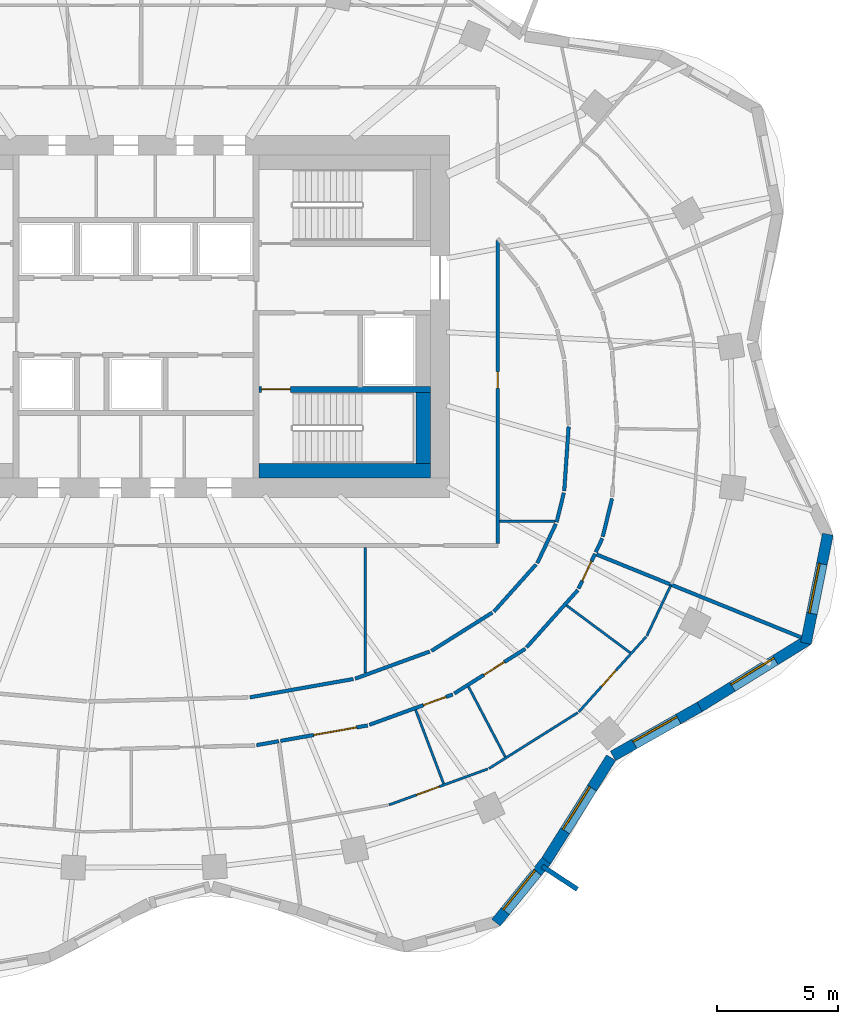
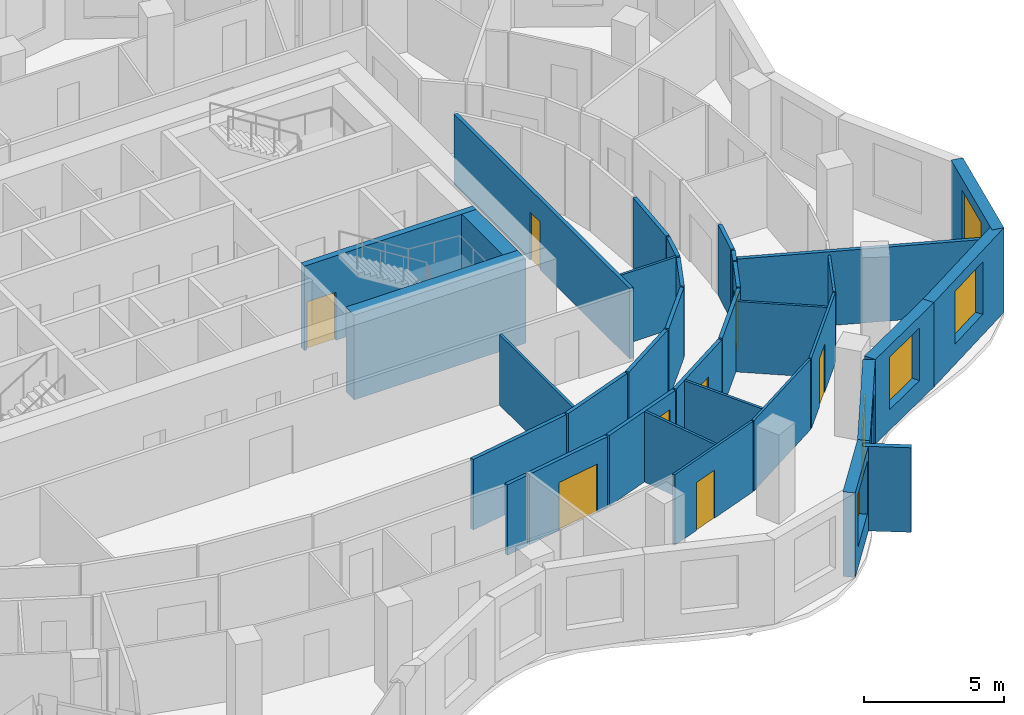
# One storey, part 6 of 11: 35 walls, 8 doors, 5 windows, 13 openings.
"""IFC4 building model written with IfcOpenShell, lengths in metres."""

from ifc_helpers import new_model, si_unit, direction, frame, frame_2d, origin, place, context, subcontext, project, spatial, rectangle, extrude, material, layer, layer_set, type_object, element, fill, save


model = new_model("IFC4")

# Units and contexts
model_context = context("Model", 3, precision=1e-05, world=origin(), true_north=direction((0.0, 1.0)))
body_context = subcontext(model_context, "Body", "Model", "MODEL_VIEW")
ifc_project = project(units=[si_unit("LENGTHUNIT", "METRE"), si_unit("AREAUNIT", "SQUARE_METRE"), si_unit("VOLUMEUNIT", "CUBIC_METRE"), si_unit("PLANEANGLEUNIT", "RADIAN"), si_unit("MASSUNIT", "GRAM", prefix="KILO")], contexts=[model_context])

# Site, building, storey
site_placement = place(None, origin())
site = spatial("IfcSite", under=ifc_project, at=site_placement, CompositionType="ELEMENT")
building_placement = place(site_placement, origin())
building = spatial("IfcBuilding", under=site, at=building_placement, Name="Rubra Terraces Tower", CompositionType="ELEMENT")
storey_placement = place(building_placement, frame((0.0, 0.0, 177.89990234375)))
storey = spatial("IfcBuildingStorey", under=building, at=storey_placement, Name="L43", CompositionType="ELEMENT", Elevation=177.89990234375)

# Wall, opening, window
ifc_material_1 = material(Name="Brick masonry red-brown", Category="masonry")
ifc_layer_1 = layer(ifc_material_1, 0.449951171875)
ifc_layer_set_1 = layer_set([ifc_layer_1], Name="Brick masonry red-brown")
wall_type_1 = type_object("IfcWallType", Name="Brick facade wall 450", PredefinedType="SOLIDWALL", material=ifc_layer_set_1)
wall_1_placement = place(storey_placement, frame((14.925537109375, -20.640869140625, 0.0), z_axis=(0.0, 0.0, 1.0), x_axis=(0.631548074669, 0.775336720001, 0.0)))
wall_1 = element("IfcWall", 1, at=wall_1_placement, inside=storey, type_object=wall_type_1, Name="Facade wall L43 bay 35", PredefinedType="SOLIDWALL", context=body_context, shape_type="SweptSolid", body=[
    extrude(rectangle(XDim=3.3076171875, YDim=0.449951171875, at=frame_2d((1.65380859375, 0.0))), origin(), (0.0, 0.0, 1.0), 3.7001953125),
])
opening_1_placement = place(wall_1_placement, frame((0.603759765625, 0.0, 0.89990234375)))
opening_1 = element("IfcOpeningElement", 2, at=opening_1_placement, cuts=wall_1, Name="Opening W1B", PredefinedType="OPENING", context=body_context, shape_type="SweptSolid", body=[
    extrude(rectangle(XDim=2.10009765625, YDim=2.300048828125, at=frame_2d((1.050048828125, 1.14990234375))), frame((0.0, 0.23486328125, 0.0), z_axis=(0.0, -1.0, 0.0), x_axis=(1.0, 0.0, 0.0)), (0.0, 0.0, 1.0), 0.469970703125),
])
ifc_material_2 = material(Name="Clear glass in aluminium frame", Category="aluminium")
window_type = type_object("IfcWindowType", Name="Fixed deep-set window tall storey 2100 x 2300", PartitioningType="SINGLE_PANEL", PredefinedType="WINDOW", material=ifc_material_2)
window_1_placement = place(opening_1_placement, origin())
window_1 = element("IfcWindow", 3, at=window_1_placement, inside=storey, type_object=window_type, Name="Window L43 bay 35", OverallHeight=2.300048828125, OverallWidth=2.10009765625, PartitioningType="SINGLE_PANEL", PredefinedType="WINDOW", context=body_context, shape_type="SweptSolid", body=[
    extrude(rectangle(XDim=2.10009765625, YDim=2.300048828125, at=frame_2d((1.050048828125, 1.14990234375))), frame((0.0, 0.135009765625, 0.0), z_axis=(0.0, -1.0, 0.0), x_axis=(1.0, 0.0, 0.0)), (0.0, 0.0, 1.0), 0.06005859375),
])
fill(opening_1, window_1)

wall_2_placement = place(storey_placement, frame((16.998291015625, -18.0986328125, 0.0), z_axis=(0.0, 0.0, 1.0), x_axis=(0.532745661304, 0.846275404559, 0.0)))
wall_2 = element("IfcWall", 4, at=wall_2_placement, inside=storey, type_object=wall_type_1, Name="Facade wall L43 bay 36", PredefinedType="SOLIDWALL", context=body_context, shape_type="SweptSolid", body=[
    extrude(rectangle(XDim=5.076171875, YDim=0.449951171875, at=frame_2d((2.5380859375, 0.0))), origin(), (0.0, 0.0, 1.0), 3.7001953125),
])
opening_2_placement = place(wall_2_placement, frame((1.488037109375, 0.0, 0.89990234375)))
opening_2 = element("IfcOpeningElement", 5, at=opening_2_placement, cuts=wall_2, Name="Opening W1B", PredefinedType="OPENING", context=body_context, shape_type="SweptSolid", body=[
    extrude(rectangle(XDim=2.10009765625, YDim=2.300048828125, at=frame_2d((1.050048828125, 1.14990234375))), frame((0.0, 0.23486328125, 0.0), z_axis=(0.0, -1.0, 0.0), x_axis=(1.0, 0.0, 0.0)), (0.0, 0.0, 1.0), 0.469970703125),
])
window_2_placement = place(opening_2_placement, origin())
window_2 = element("IfcWindow", 6, at=window_2_placement, inside=storey, type_object=window_type, Name="Window L43 bay 36", OverallHeight=2.300048828125, OverallWidth=2.10009765625, PartitioningType="SINGLE_PANEL", PredefinedType="WINDOW", context=body_context, shape_type="SweptSolid", body=[
    extrude(rectangle(XDim=2.10009765625, YDim=2.300048828125, at=frame_2d((1.050048828125, 1.14990234375))), frame((0.0, 0.135009765625, 0.0), z_axis=(0.0, -1.0, 0.0), x_axis=(1.0, 0.0, 0.0)), (0.0, 0.0, 1.0), 0.06005859375),
])
fill(opening_2, window_2)

wall_3_placement = place(storey_placement, frame((19.77587890625, -13.730712890625, 0.0), z_axis=(0.0, 0.0, 1.0), x_axis=(0.870610133829, 0.491973571318, 0.0)))
wall_3 = element("IfcWall", 7, at=wall_3_placement, inside=storey, type_object=wall_type_1, Name="Facade wall L43 bay 37", PredefinedType="SOLIDWALL", context=body_context, shape_type="SweptSolid", body=[
    extrude(rectangle(XDim=4.1337890625, YDim=0.449951171875, at=frame_2d((2.06689453125, 0.0))), origin(), (0.0, 0.0, 1.0), 3.7001953125),
])
opening_3_placement = place(wall_3_placement, frame((1.016845703125, 0.0, 0.89990234375)))
opening_3 = element("IfcOpeningElement", 8, at=opening_3_placement, cuts=wall_3, Name="Opening W1B", PredefinedType="OPENING", context=body_context, shape_type="SweptSolid", body=[
    extrude(rectangle(XDim=2.10009765625, YDim=2.300048828125, at=frame_2d((1.050048828125, 1.14990234375))), frame((0.0, 0.23486328125, 0.0), z_axis=(0.0, -1.0, 0.0), x_axis=(1.0, 0.0, 0.0)), (0.0, 0.0, 1.0), 0.469970703125),
])
window_3_placement = place(opening_3_placement, origin())
window_3 = element("IfcWindow", 9, at=window_3_placement, inside=storey, type_object=window_type, Name="Window L43 bay 37", OverallHeight=2.300048828125, OverallWidth=2.10009765625, PartitioningType="SINGLE_PANEL", PredefinedType="WINDOW", context=body_context, shape_type="SweptSolid", body=[
    extrude(rectangle(XDim=2.10009765625, YDim=2.300048828125, at=frame_2d((1.050048828125, 1.14990234375))), frame((0.0, 0.135009765625, 0.0), z_axis=(0.0, -1.0, 0.0), x_axis=(1.0, 0.0, 0.0)), (0.0, 0.0, 1.0), 0.06005859375),
])
fill(opening_3, window_3)

wall_4_placement = place(storey_placement, frame((23.368408203125, -11.700927734375, 0.0), z_axis=(0.0, 0.0, 1.0), x_axis=(0.850251408633, 0.526376806211, 0.0)))
wall_4 = element("IfcWall", 10, at=wall_4_placement, inside=storey, type_object=wall_type_1, Name="Facade wall L43 bay 38", PredefinedType="SOLIDWALL", context=body_context, shape_type="SweptSolid", body=[
    extrude(rectangle(XDim=5.30224609375, YDim=0.449951171875, at=frame_2d((2.651123046875, 0.0))), origin(), (0.0, 0.0, 1.0), 3.7001953125),
])
opening_4_placement = place(wall_4_placement, frame((1.601318359375, 0.0, 0.89990234375)))
opening_4 = element("IfcOpeningElement", 11, at=opening_4_placement, cuts=wall_4, Name="Opening W1B", PredefinedType="OPENING", context=body_context, shape_type="SweptSolid", body=[
    extrude(rectangle(XDim=2.10009765625, YDim=2.300048828125, at=frame_2d((1.050048828125, 1.14990234375))), frame((0.0, 0.23486328125, 0.0), z_axis=(0.0, -1.0, 0.0), x_axis=(1.0, 0.0, 0.0)), (0.0, 0.0, 1.0), 0.469970703125),
])
window_4_placement = place(opening_4_placement, origin())
window_4 = element("IfcWindow", 12, at=window_4_placement, inside=storey, type_object=window_type, Name="Window L43 bay 38", OverallHeight=2.300048828125, OverallWidth=2.10009765625, PartitioningType="SINGLE_PANEL", PredefinedType="WINDOW", context=body_context, shape_type="SweptSolid", body=[
    extrude(rectangle(XDim=2.10009765625, YDim=2.300048828125, at=frame_2d((1.050048828125, 1.14990234375))), frame((0.0, 0.135009765625, 0.0), z_axis=(0.0, -1.0, 0.0), x_axis=(1.0, 0.0, 0.0)), (0.0, 0.0, 1.0), 0.06005859375),
])
fill(opening_4, window_4)

wall_5_placement = place(storey_placement, frame((27.779541015625, -9.053466796875, 0.0), z_axis=(0.0, 0.0, 1.0), x_axis=(0.197796229105, 0.980243159503, 0.0)))
wall_5 = element("IfcWall", 13, at=wall_5_placement, inside=storey, type_object=wall_type_1, Name="Facade wall L43 bay 39", PredefinedType="SOLIDWALL", context=body_context, shape_type="SweptSolid", body=[
    extrude(rectangle(XDim=4.610107421875, YDim=0.449951171875, at=frame_2d((2.30517578125, 0.0))), origin(), (0.0, 0.0, 1.0), 3.7001953125),
])
opening_5_placement = place(wall_5_placement, frame((1.255126953125, 0.0, 0.89990234375)))
opening_5 = element("IfcOpeningElement", 14, at=opening_5_placement, cuts=wall_5, Name="Opening W1B", PredefinedType="OPENING", context=body_context, shape_type="SweptSolid", body=[
    extrude(rectangle(XDim=2.10009765625, YDim=2.300048828125, at=frame_2d((1.050048828125, 1.14990234375))), frame((0.0, 0.23486328125, 0.0), z_axis=(0.0, -1.0, 0.0), x_axis=(1.0, 0.0, 0.0)), (0.0, 0.0, 1.0), 0.469970703125),
])
window_5_placement = place(opening_5_placement, origin())
window_5 = element("IfcWindow", 15, at=window_5_placement, inside=storey, type_object=window_type, Name="Window L43 bay 39", OverallHeight=2.300048828125, OverallWidth=2.10009765625, PartitioningType="SINGLE_PANEL", PredefinedType="WINDOW", context=body_context, shape_type="SweptSolid", body=[
    extrude(rectangle(XDim=2.10009765625, YDim=2.300048828125, at=frame_2d((1.050048828125, 1.14990234375))), frame((0.0, 0.135009765625, 0.0), z_axis=(0.0, -1.0, 0.0), x_axis=(1.0, 0.0, 0.0)), (0.0, 0.0, 1.0), 0.06005859375),
])
fill(opening_5, window_5)

# Walls
ifc_layer_2 = layer(ifc_material_1, 0.199951171875)
ifc_layer_set_2 = layer_set([ifc_layer_2], Name="Brick masonry red-brown")
wall_type_2 = type_object("IfcWallType", Name="Brick wind fin 200", PredefinedType="SOLIDWALL", material=ifc_layer_set_2)
wall_6_placement = place(storey_placement, frame((16.837890625, -18.298095703125, 0.0), z_axis=(0.0, 0.0, 1.0), x_axis=(0.835871900419, -0.548924554097, 0.0)))
element("IfcWall", 16, at=wall_6_placement, inside=storey, type_object=wall_type_2, Name="Wind fin L43 21", PredefinedType="SOLIDWALL", context=body_context, shape_type="SweptSolid", body=[
    extrude(rectangle(XDim=1.750244140625, YDim=0.199951171875, at=frame_2d((0.875, 0.0))), origin(), (0.0, 0.0, 1.0), 3.7001953125),
])
ifc_material_3 = material(Name="Plasterboard on steel stud, mineral wool infill", Category="steel")
ifc_layer_3 = layer(ifc_material_3, 0.14990234375)
ifc_layer_set_3 = layer_set([ifc_layer_3], Name="Plasterboard on steel stud, mineral wool infill")
wall_type_3 = type_object("IfcWallType", Name="CORRIDOR PARTITION 150", PredefinedType="PARTITIONING", material=ifc_layer_set_3)
wall_7_placement = place(storey_placement, frame((4.994873046875, -13.28125, 0.0), z_axis=(0.0, 0.0, 1.0), x_axis=(0.984615318048, 0.174736016506, 0.0)))
element("IfcWall", 17, at=wall_7_placement, inside=storey, type_object=wall_type_3, Name="PARTITION", PredefinedType="PARTITIONING", context=body_context, shape_type="SweptSolid", body=[
    extrude(rectangle(XDim=0.9375, YDim=0.14990234375, at=frame_2d((0.46875, 0.0))), origin(), (0.0, 0.0, 1.0), 3.083984375),
])

# Wall, opening, door
wall_8_placement = place(storey_placement, frame((5.99169921875, -13.1044921875, 0.0), z_axis=(0.0, 0.0, 1.0), x_axis=(0.98463249319, 0.174639209096, 0.0)))
wall_8 = element("IfcWall", 18, at=wall_8_placement, inside=storey, type_object=wall_type_3, Name="PARTITION", PredefinedType="PARTITIONING", context=body_context, shape_type="SweptSolid", body=[
    extrude(rectangle(XDim=3.669677734375, YDim=0.14990234375, at=frame_2d((1.8349609375, 0.0))), origin(), (0.0, 0.0, 1.0), 3.083984375),
])
opening_6_placement = place(wall_8_placement, frame((1.39990234375, 0.0, 0.0)))
opening_6 = element("IfcOpeningElement", 19, at=opening_6_placement, cuts=wall_8, Name="Opening 43-119", PredefinedType="OPENING", context=body_context, shape_type="SweptSolid", body=[
    extrude(rectangle(XDim=1.800048828125, YDim=2.10009765625, at=frame_2d((0.89990234375, 1.050048828125))), frame((0.0, 0.0849609375, 0.0), z_axis=(0.0, -1.0, 0.0), x_axis=(1.0, 0.0, 0.0)), (0.0, 0.0, 1.0), 0.169921875),
])
ifc_material_4 = material(Name="Painted timber door leaf, double", Category="wood")
door_type_1 = type_object("IfcDoorType", Name="ROOM DOUBLE DOOR 1800 X 2100", OperationType="DOUBLE_DOOR_SINGLE_SWING", PredefinedType="DOOR", material=ifc_material_4)
door_1_placement = place(opening_6_placement, origin())
door_1 = element("IfcDoor", 20, at=door_1_placement, inside=storey, type_object=door_type_1, Name="DOOR 43-119", OperationType="DOUBLE_DOOR_SINGLE_SWING", OverallHeight=2.10009765625, OverallWidth=1.800048828125, PredefinedType="DOOR", context=body_context, shape_type="SweptSolid", body=[
    extrude(rectangle(XDim=1.800048828125, YDim=2.10009765625, at=frame_2d((0.89990234375, 1.050048828125))), frame((0.0, 0.02490234375, 0.0), z_axis=(0.0, -1.0, 0.0), x_axis=(1.0, 0.0, 0.0)), (0.0, 0.0, 1.0), 0.050048828125),
])
fill(opening_6, door_1)

wall_9_placement = place(storey_placement, frame((9.675537109375, -12.43798828125, 0.0), z_axis=(0.0, 0.0, 1.0), x_axis=(0.939640289748, 0.342163887461, 0.0)))
wall_9 = element("IfcWall", 21, at=wall_9_placement, inside=storey, type_object=wall_type_3, Name="PARTITION", PredefinedType="PARTITIONING", context=body_context, shape_type="SweptSolid", body=[
    extrude(rectangle(XDim=3.6796875, YDim=0.14990234375, at=frame_2d((1.83984375, 0.0))), origin(), (0.0, 0.0, 1.0), 3.083984375),
])
opening_7_placement = place(wall_9_placement, frame((2.3798828125, 0.0, 0.0)))
opening_7 = element("IfcOpeningElement", 22, at=opening_7_placement, cuts=wall_9, Name="Opening 43-120", PredefinedType="OPENING", context=body_context, shape_type="SweptSolid", body=[
    extrude(rectangle(XDim=1.0, YDim=2.39990234375, at=frame_2d((0.5, 1.199951171875))), frame((0.0, 0.0849609375, 0.0), z_axis=(0.0, -1.0, 0.0), x_axis=(1.0, 0.0, 0.0)), (0.0, 0.0, 1.0), 0.169921875),
])
ifc_material_5 = material(Name="Glazed aluminium meeting door leaf", Category="aluminium")
door_type_2 = type_object("IfcDoorType", Name="MEETING ROOM GLAZED DOOR 1000 X 2400", OperationType="SINGLE_SWING_LEFT", PredefinedType="DOOR", material=ifc_material_5)
door_2_placement = place(opening_7_placement, origin())
door_2 = element("IfcDoor", 23, at=door_2_placement, inside=storey, type_object=door_type_2, Name="DOOR 43-120", OperationType="SINGLE_SWING_RIGHT", OverallHeight=2.39990234375, OverallWidth=1.0, PredefinedType="DOOR", context=body_context, shape_type="SweptSolid", body=[
    extrude(rectangle(XDim=1.0, YDim=2.39990234375, at=frame_2d((0.5, 1.199951171875))), frame((0.0, 0.02490234375, 0.0), z_axis=(0.0, -1.0, 0.0), x_axis=(1.0, 0.0, 0.0)), (0.0, 0.0, 1.0), 0.050048828125),
])
fill(opening_7, door_2)

wall_10_placement = place(storey_placement, frame((13.196533203125, -11.138916015625, 0.0), z_axis=(0.0, 0.0, 1.0), x_axis=(0.846390903833, 0.532562144644, 0.0)))
wall_10 = element("IfcWall", 24, at=wall_10_placement, inside=storey, type_object=wall_type_3, Name="PARTITION", PredefinedType="PARTITIONING", context=body_context, shape_type="SweptSolid", body=[
    extrude(rectangle(XDim=3.481201171875, YDim=0.14990234375, at=frame_2d((1.74072265625, 0.0))), origin(), (0.0, 0.0, 1.0), 3.083984375),
])
opening_8_placement = place(wall_10_placement, frame((1.449951171875, 0.0, 0.0)))
opening_8 = element("IfcOpeningElement", 25, at=opening_8_placement, cuts=wall_10, Name="Opening 43-140", PredefinedType="OPENING", context=body_context, shape_type="SweptSolid", body=[
    extrude(rectangle(XDim=1.0, YDim=2.10009765625, at=frame_2d((0.5, 1.050048828125))), frame((0.0, 0.0849609375, 0.0), z_axis=(0.0, -1.0, 0.0), x_axis=(1.0, 0.0, 0.0)), (0.0, 0.0, 1.0), 0.169921875),
])
ifc_material_6 = material(Name="Painted timber door leaf", Category="wood")
door_type_3 = type_object("IfcDoorType", Name="ROOM DOOR 1000 X 2100", OperationType="SINGLE_SWING_LEFT", PredefinedType="DOOR", material=ifc_material_6)
door_3_placement = place(opening_8_placement, origin())
door_3 = element("IfcDoor", 26, at=door_3_placement, inside=storey, type_object=door_type_3, Name="DOOR 43-140", OperationType="SINGLE_SWING_RIGHT", OverallHeight=2.10009765625, OverallWidth=1.0, PredefinedType="DOOR", context=body_context, shape_type="SweptSolid", body=[
    extrude(rectangle(XDim=1.0, YDim=2.10009765625, at=frame_2d((0.5, 1.050048828125))), frame((0.0, 0.02490234375, 0.0), z_axis=(0.0, -1.0, 0.0), x_axis=(1.0, 0.0, 0.0)), (0.0, 0.0, 1.0), 0.050048828125),
])
fill(opening_8, door_3)

# Wall
wall_11_placement = place(storey_placement, frame((16.193115234375, -9.22900390625, 0.0), z_axis=(0.0, 0.0, 1.0), x_axis=(0.666882089048, 0.745163256815, 0.0)))
element("IfcWall", 27, at=wall_11_placement, inside=storey, type_object=wall_type_3, Name="PARTITION", PredefinedType="PARTITIONING", context=body_context, shape_type="SweptSolid", body=[
    extrude(rectangle(XDim=3.1904296875, YDim=0.14990234375, at=frame_2d((1.59521484375, 0.0))), origin(), (0.0, 0.0, 1.0), 3.083984375),
])

# Wall, opening, door
wall_12_placement = place(storey_placement, frame((18.35302734375, -6.78369140625, 0.0), z_axis=(0.0, 0.0, 1.0), x_axis=(0.428125964575, 0.90371907054, 0.0)))
wall_12 = element("IfcWall", 28, at=wall_12_placement, inside=storey, type_object=wall_type_3, Name="PARTITION", PredefinedType="PARTITIONING", context=body_context, shape_type="SweptSolid", body=[
    extrude(rectangle(XDim=1.58935546875, YDim=0.14990234375, at=frame_2d((0.794677734375, 0.0))), origin(), (0.0, 0.0, 1.0), 3.083984375),
])
opening_9_placement = place(wall_12_placement, frame((0.35009765625, 0.0, 0.0)))
opening_9 = element("IfcOpeningElement", 29, at=opening_9_placement, cuts=wall_12, Name="Opening 43-141", PredefinedType="OPENING", context=body_context, shape_type="SweptSolid", body=[
    extrude(rectangle(XDim=0.89990234375, YDim=2.10009765625, at=frame_2d((0.449951171875, 1.050048828125))), frame((0.0, 0.0849609375, 0.0), z_axis=(0.0, -1.0, 0.0), x_axis=(1.0, 0.0, 0.0)), (0.0, 0.0, 1.0), 0.169921875),
])
door_type_4 = type_object("IfcDoorType", Name="BATHROOM DOOR 900 X 2100", OperationType="SINGLE_SWING_LEFT", PredefinedType="DOOR", material=ifc_material_6)
door_4_placement = place(opening_9_placement, origin())
door_4 = element("IfcDoor", 30, at=door_4_placement, inside=storey, type_object=door_type_4, Name="DOOR 43-141", OperationType="SINGLE_SWING_RIGHT", OverallHeight=2.10009765625, OverallWidth=0.89990234375, PredefinedType="DOOR", context=body_context, shape_type="SweptSolid", body=[
    extrude(rectangle(XDim=0.89990234375, YDim=2.10009765625, at=frame_2d((0.449951171875, 1.050048828125))), frame((0.0, 0.02490234375, 0.0), z_axis=(0.0, -1.0, 0.0), x_axis=(1.0, 0.0, 0.0)), (0.0, 0.0, 1.0), 0.050048828125),
])
fill(opening_9, door_4)

# Walls
wall_13_placement = place(storey_placement, frame((19.0654296875, -5.279541015625, 0.0), z_axis=(0.0, 0.0, 1.0), x_axis=(0.428202003813, 0.903683043954, 0.0)))
element("IfcWall", 31, at=wall_13_placement, inside=storey, type_object=wall_type_3, Name="PARTITION", PredefinedType="PARTITIONING", context=body_context, shape_type="SweptSolid", body=[
    extrude(rectangle(XDim=0.63525390625, YDim=0.14990234375, at=frame_2d((0.317626953125, 0.0))), origin(), (0.0, 0.0, 1.0), 3.083984375),
])
wall_14_placement = place(storey_placement, frame((19.355224609375, -4.6328125, 0.0), z_axis=(0.0, 0.0, 1.0), x_axis=(0.236703930685, 0.971581828359, 0.0)))
element("IfcWall", 32, at=wall_14_placement, inside=storey, type_object=wall_type_3, Name="PARTITION", PredefinedType="PARTITIONING", context=body_context, shape_type="SweptSolid", body=[
    extrude(rectangle(XDim=1.62646484375, YDim=0.14990234375, at=frame_2d((0.813232421875, 0.0))), origin(), (0.0, 0.0, 1.0), 3.083984375),
])
wall_15_placement = place(storey_placement, frame((17.939208984375, -0.07470703125, 0.0), z_axis=(0.0, 0.0, 1.0), x_axis=(-0.068226099283, -0.99766988497, 0.0)))
element("IfcWall", 33, at=wall_15_placement, inside=storey, type_object=wall_type_3, Name="PARTITION", PredefinedType="PARTITIONING", context=body_context, shape_type="SweptSolid", body=[
    extrude(rectangle(XDim=2.6767578125, YDim=0.14990234375, at=frame_2d((1.33837890625, 0.0))), origin(), (0.0, 0.0, 1.0), 3.083984375),
])
wall_16_placement = place(storey_placement, frame((17.739013671875, -2.818115234375, 0.0), z_axis=(0.0, 0.0, 1.0), x_axis=(-0.236884307907, -0.971537865792, 0.0)))
element("IfcWall", 34, at=wall_16_placement, inside=storey, type_object=wall_type_3, Name="PARTITION", PredefinedType="PARTITIONING", context=body_context, shape_type="SweptSolid", body=[
    extrude(rectangle(XDim=1.251220703125, YDim=0.14990234375, at=frame_2d((0.62548828125, 0.0))), origin(), (0.0, 0.0, 1.0), 3.083984375),
])
wall_17_placement = place(storey_placement, frame((17.410400390625, -4.1015625, 0.0), z_axis=(0.0, 0.0, 1.0), x_axis=(-0.428074720318, -0.903743345107, 0.0)))
element("IfcWall", 35, at=wall_17_placement, inside=storey, type_object=wall_type_3, Name="PARTITION", PredefinedType="PARTITIONING", context=body_context, shape_type="SweptSolid", body=[
    extrude(rectangle(XDim=1.8056640625, YDim=0.14990234375, at=frame_2d((0.90283203125, 0.0))), origin(), (0.0, 0.0, 1.0), 3.083984375),
])
wall_18_placement = place(storey_placement, frame((16.58740234375, -5.789306640625, 0.0), z_axis=(0.0, 0.0, 1.0), x_axis=(-0.666887460656, -0.745158449472, 0.0)))
element("IfcWall", 36, at=wall_18_placement, inside=storey, type_object=wall_type_3, Name="PARTITION", PredefinedType="PARTITIONING", context=body_context, shape_type="SweptSolid", body=[
    extrude(rectangle(XDim=2.6201171875, YDim=0.14990234375, at=frame_2d((1.31005859375, 0.0))), origin(), (0.0, 0.0, 1.0), 3.083984375),
])
wall_19_placement = place(storey_placement, frame((14.776611328125, -7.781494140625, 0.0), z_axis=(0.0, 0.0, 1.0), x_axis=(-0.846359741043, -0.532611667862, 0.0)))
element("IfcWall", 37, at=wall_19_placement, inside=storey, type_object=wall_type_3, Name="PARTITION", PredefinedType="PARTITIONING", context=body_context, shape_type="SweptSolid", body=[
    extrude(rectangle(XDim=2.9873046875, YDim=0.14990234375, at=frame_2d((1.49365234375, 0.0))), origin(), (0.0, 0.0, 1.0), 3.083984375),
])
wall_20_placement = place(storey_placement, frame((12.177734375, -9.398193359375, 0.0), z_axis=(0.0, 0.0, 1.0), x_axis=(-0.939609240084, -0.342249143093, 0.0)))
element("IfcWall", 38, at=wall_20_placement, inside=storey, type_object=wall_type_3, Name="PARTITION", PredefinedType="PARTITIONING", context=body_context, shape_type="SweptSolid", body=[
    extrude(rectangle(XDim=3.2919921875, YDim=0.14990234375, at=frame_2d((1.64599609375, 0.0))), origin(), (0.0, 0.0, 1.0), 3.083984375),
])
wall_21_placement = place(storey_placement, frame((9.010498046875, -10.5380859375, 0.0), z_axis=(0.0, 0.0, 1.0), x_axis=(-0.984645638575, -0.174565077936, 0.0)))
element("IfcWall", 39, at=wall_21_placement, inside=storey, type_object=wall_type_3, Name="PARTITION", PredefinedType="PARTITIONING", context=body_context, shape_type="SweptSolid", body=[
    extrude(rectangle(XDim=4.35791015625, YDim=0.14990234375, at=frame_2d((2.178955078125, 0.0))), origin(), (0.0, 0.0, 1.0), 3.083984375),
])

# Wall, opening, door
wall_22_placement = place(storey_placement, frame((15.0, -4.925048828125, 0.0), z_axis=(0.0, 0.0, 1.0), x_axis=(0.0, 1.0, 0.0)))
wall_22 = element("IfcWall", 40, at=wall_22_placement, inside=storey, type_object=wall_type_3, Name="PARTITION", PredefinedType="PARTITIONING", context=body_context, shape_type="SweptSolid", body=[
    extrude(rectangle(XDim=12.5830078125, YDim=0.14990234375, at=frame_2d((6.29150390625, 0.0))), origin(), (0.0, 0.0, 1.0), 3.083984375),
])
opening_10_placement = place(wall_22_placement, frame((6.44091796875, 0.0, 0.0)))
opening_10 = element("IfcOpeningElement", 41, at=opening_10_placement, cuts=wall_22, Name="Opening 43-131", PredefinedType="OPENING", context=body_context, shape_type="SweptSolid", body=[
    extrude(rectangle(XDim=0.699951171875, YDim=2.10009765625, at=frame_2d((0.35009765625, 1.050048828125))), frame((0.0, 0.0849609375, 0.0), z_axis=(0.0, -1.0, 0.0), x_axis=(1.0, 0.0, 0.0)), (0.0, 0.0, 1.0), 0.169921875),
])
door_type_5 = type_object("IfcDoorType", Name="STORE DOOR 700 X 2100", OperationType="SINGLE_SWING_LEFT", PredefinedType="DOOR", material=ifc_material_6)
door_5_placement = place(opening_10_placement, origin())
door_5 = element("IfcDoor", 42, at=door_5_placement, inside=storey, type_object=door_type_5, Name="DOOR 43-131", OperationType="SINGLE_SWING_RIGHT", OverallHeight=2.10009765625, OverallWidth=0.699951171875, PredefinedType="DOOR", context=body_context, shape_type="SweptSolid", body=[
    extrude(rectangle(XDim=0.699951171875, YDim=2.10009765625, at=frame_2d((0.35009765625, 1.050048828125))), frame((0.0, 0.02490234375, 0.0), z_axis=(0.0, -1.0, 0.0), x_axis=(1.0, 0.0, 0.0)), (0.0, 0.0, 1.0), 0.050048828125),
])
fill(opening_10, door_5)

# Walls
ifc_material_7 = material(Name="Concrete C40", Category="concrete")
ifc_layer_4 = layer(ifc_material_7, 0.60009765625)
ifc_layer_set_4 = layer_set([ifc_layer_4], Name="Concrete C40")
wall_type_4 = type_object("IfcWallType", Name="Core lining wall 600 concrete", PredefinedType="SOLIDWALL", material=ifc_layer_set_4)
wall_23_placement = place(storey_placement, frame((11.89990234375, 1.35009765625, 0.0), z_axis=(0.0, 0.0, 1.0), x_axis=(0.0, -1.0, 0.0)))
element("IfcWall", 43, at=wall_23_placement, inside=storey, type_object=wall_type_4, Name="CORE LINING WALL L43", PredefinedType="SOLIDWALL", context=body_context, shape_type="SweptSolid", body=[
    extrude(rectangle(XDim=2.9501953125, YDim=0.60009765625, at=frame_2d((1.47509765625, 0.0))), origin(), (0.0, 0.0, 1.0), 3.7001953125),
])
wall_24_placement = place(storey_placement, frame((12.199951171875, -1.89990234375, 0.0), z_axis=(0.0, 0.0, 1.0), x_axis=(-1.0, 0.0, 0.0)))
element("IfcWall", 44, at=wall_24_placement, inside=storey, type_object=wall_type_4, Name="CORE LINING WALL L43", PredefinedType="SOLIDWALL", context=body_context, shape_type="SweptSolid", body=[
    extrude(rectangle(XDim=7.099853515625, YDim=0.60009765625, at=frame_2d((3.5498046875, 0.0))), origin(), (0.0, 0.0, 1.0), 3.7001953125),
])
ifc_material_8 = material(Name="Plasterboard on steel stud", Category="steel")
ifc_layer_5 = layer(ifc_material_8, 0.10009765625)
ifc_layer_set_5 = layer_set([ifc_layer_5], Name="Plasterboard on steel stud")
wall_type_5 = type_object("IfcWallType", Name="ROOM PARTITION 100", PredefinedType="PARTITIONING", material=ifc_layer_set_5)
wall_25_placement = place(storey_placement, frame((22.18115234375, -6.64453125, 0.0), z_axis=(0.0, 0.0, 1.0), x_axis=(-0.428144841987, -0.903710127353, 0.0)))
element("IfcWall", 45, at=wall_25_placement, inside=storey, type_object=wall_type_5, Name="PARTITION", PredefinedType="PARTITIONING", context=body_context, shape_type="SweptSolid", body=[
    extrude(rectangle(XDim=2.332275390625, YDim=0.10009765625, at=frame_2d((1.166015625, 0.0))), origin(), (0.0, 0.0, 1.0), 3.083984375),
])

# Wall, opening, door
wall_26_placement = place(storey_placement, frame((21.1494140625, -8.789306640625, 0.0), z_axis=(0.0, 0.0, 1.0), x_axis=(-0.666915902537, -0.745132994132, 0.0)))
wall_26 = element("IfcWall", 46, at=wall_26_placement, inside=storey, type_object=wall_type_5, Name="PARTITION", PredefinedType="PARTITIONING", context=body_context, shape_type="SweptSolid", body=[
    extrude(rectangle(XDim=4.185791015625, YDim=0.10009765625, at=frame_2d((2.0927734375, 0.0))), origin(), (0.0, 0.0, 1.0), 3.083984375),
])
opening_11_placement = place(wall_26_placement, frame((1.868896484375, 0.0, 0.0)))
opening_11 = element("IfcOpeningElement", 47, at=opening_11_placement, cuts=wall_26, Name="Opening 43-121", PredefinedType="OPENING", context=body_context, shape_type="SweptSolid", body=[
    extrude(rectangle(XDim=0.89990234375, YDim=2.10009765625, at=frame_2d((0.449951171875, 1.050048828125))), frame((0.0, 0.06005859375, 0.0), z_axis=(0.0, -1.0, 0.0), x_axis=(1.0, 0.0, 0.0)), (0.0, 0.0, 1.0), 0.1201171875),
])
door_type_6 = type_object("IfcDoorType", Name="ROOM DOOR 900 X 2100", OperationType="SINGLE_SWING_LEFT", PredefinedType="DOOR", material=ifc_material_6)
door_6_placement = place(opening_11_placement, origin())
door_6 = element("IfcDoor", 48, at=door_6_placement, inside=storey, type_object=door_type_6, Name="DOOR 43-121", OperationType="SINGLE_SWING_LEFT", OverallHeight=2.10009765625, OverallWidth=0.89990234375, PredefinedType="DOOR", context=body_context, shape_type="SweptSolid", body=[
    extrude(rectangle(XDim=0.89990234375, YDim=2.10009765625, at=frame_2d((0.449951171875, 1.050048828125))), frame((0.0, 0.02490234375, 0.0), z_axis=(0.0, -1.0, 0.0), x_axis=(1.0, 0.0, 0.0)), (0.0, 0.0, 1.0), 0.050048828125),
])
fill(opening_11, door_6)

# Wall
wall_27_placement = place(storey_placement, frame((18.315673828125, -11.934814453125, 0.0), z_axis=(0.0, 0.0, 1.0), x_axis=(-0.84637539713, -0.532586788358, 0.0)))
element("IfcWall", 49, at=wall_27_placement, inside=storey, type_object=wall_type_5, Name="PARTITION", PredefinedType="PARTITIONING", context=body_context, shape_type="SweptSolid", body=[
    extrude(rectangle(XDim=4.34619140625, YDim=0.10009765625, at=frame_2d((2.173095703125, 0.0))), origin(), (0.0, 0.0, 1.0), 3.083984375),
])

# Wall, opening, door
wall_28_placement = place(storey_placement, frame((14.590087890625, -14.2666015625, 0.0), z_axis=(0.0, 0.0, 1.0), x_axis=(-0.939623405418, -0.342210251148, 0.0)))
wall_28 = element("IfcWall", 50, at=wall_28_placement, inside=storey, type_object=wall_type_5, Name="PARTITION", PredefinedType="PARTITIONING", context=body_context, shape_type="SweptSolid", body=[
    extrude(rectangle(XDim=4.36328125, YDim=0.10009765625, at=frame_2d((2.181640625, 0.0))), origin(), (0.0, 0.0, 1.0), 3.083984375),
])
opening_12_placement = place(wall_28_placement, frame((2.14990234375, 0.0, 0.0)))
opening_12 = element("IfcOpeningElement", 51, at=opening_12_placement, cuts=wall_28, Name="Opening 43-139", PredefinedType="OPENING", context=body_context, shape_type="SweptSolid", body=[
    extrude(rectangle(XDim=1.0, YDim=2.10009765625, at=frame_2d((0.5, 1.050048828125))), frame((0.0, 0.06005859375, 0.0), z_axis=(0.0, -1.0, 0.0), x_axis=(1.0, 0.0, 0.0)), (0.0, 0.0, 1.0), 0.1201171875),
])
door_7_placement = place(opening_12_placement, origin())
door_7 = element("IfcDoor", 52, at=door_7_placement, inside=storey, type_object=door_type_3, Name="DOOR 43-139", OperationType="SINGLE_SWING_LEFT", OverallHeight=2.10009765625, OverallWidth=1.0, PredefinedType="DOOR", context=body_context, shape_type="SweptSolid", body=[
    extrude(rectangle(XDim=1.0, YDim=2.10009765625, at=frame_2d((0.5, 1.050048828125))), frame((0.0, 0.02490234375, 0.0), z_axis=(0.0, -1.0, 0.0), x_axis=(1.0, 0.0, 0.0)), (0.0, 0.0, 1.0), 0.050048828125),
])
fill(opening_12, door_7)

# Walls
wall_29_placement = place(storey_placement, frame((11.593505859375, -11.8193359375, 0.0), z_axis=(0.0, 0.0, 1.0), x_axis=(0.354584575087, -0.935023945742, 0.0)))
element("IfcWall", 53, at=wall_29_placement, inside=storey, type_object=wall_type_5, Name="PARTITION", PredefinedType="PARTITIONING", context=body_context, shape_type="SweptSolid", body=[
    extrude(rectangle(XDim=3.275390625, YDim=0.10009765625, at=frame_2d((1.6376953125, 0.0))), origin(), (0.0, 0.0, 1.0), 3.083984375),
])
wall_30_placement = place(storey_placement, frame((13.7861328125, -10.856201171875, 0.0), z_axis=(0.0, 0.0, 1.0), x_axis=(0.464015323866, -0.885827172318, 0.0)))
element("IfcWall", 54, at=wall_30_placement, inside=storey, type_object=wall_type_5, Name="PARTITION", PredefinedType="PARTITIONING", context=body_context, shape_type="SweptSolid", body=[
    extrude(rectangle(XDim=3.285888671875, YDim=0.10009765625, at=frame_2d((1.64306640625, 0.0))), origin(), (0.0, 0.0, 1.0), 3.083984375),
])
wall_31_placement = place(storey_placement, frame((17.852783203125, -7.486572265625, 0.0), z_axis=(0.0, 0.0, 1.0), x_axis=(0.802681916891, -0.596407361034, 0.0)))
element("IfcWall", 55, at=wall_31_placement, inside=storey, type_object=wall_type_5, Name="PARTITION", PredefinedType="PARTITIONING", context=body_context, shape_type="SweptSolid", body=[
    extrude(rectangle(XDim=3.2890625, YDim=0.10009765625, at=frame_2d((1.64453125, 0.0))), origin(), (0.0, 0.0, 1.0), 3.083984375),
])
wall_32_placement = place(storey_placement, frame((9.5, -10.298583984375, 0.0), z_axis=(0.0, 0.0, 1.0), x_axis=(0.0, 1.0, 0.0)))
element("IfcWall", 56, at=wall_32_placement, inside=storey, type_object=wall_type_5, Name="PARTITION", PredefinedType="PARTITIONING", context=body_context, shape_type="SweptSolid", body=[
    extrude(rectangle(XDim=5.2236328125, YDim=0.10009765625, at=frame_2d((2.61181640625, 0.0))), origin(), (0.0, 0.0, 1.0), 3.083984375),
])
wall_33_placement = place(storey_placement, frame((15.074951171875, -4.0, 0.0), z_axis=(0.0, 0.0, 1.0), x_axis=(1.0, 0.0, 0.0)))
element("IfcWall", 57, at=wall_33_placement, inside=storey, type_object=wall_type_5, Name="PARTITION", PredefinedType="PARTITIONING", context=body_context, shape_type="SweptSolid", body=[
    extrude(rectangle(XDim=2.30078125, YDim=0.10009765625, at=frame_2d((1.150390625, 0.0))), origin(), (0.0, 0.0, 1.0), 3.083984375),
])
ifc_layer_6 = layer(ifc_material_8, 0.14990234375)
ifc_layer_set_6 = layer_set([ifc_layer_6], Name="Plasterboard on steel stud")
wall_type_6 = type_object("IfcWallType", Name="ROOM PARTITION 150", PredefinedType="PARTITIONING", material=ifc_layer_set_6)
wall_34_placement = place(storey_placement, frame((27.5927734375, -8.816162109375, 0.0), z_axis=(0.0, 0.0, 1.0), x_axis=(-0.9267854071, 0.375591279433, 0.0)))
element("IfcWall", 58, at=wall_34_placement, inside=storey, type_object=wall_type_6, Name="PARTITION", PredefinedType="PARTITIONING", context=body_context, shape_type="SweptSolid", body=[
    extrude(rectangle(XDim=9.16064453125, YDim=0.14990234375, at=frame_2d((4.580322265625, 0.0))), origin(), (0.0, 0.0, 1.0), 3.234130859375),
])

# Wall, opening, door
ifc_layer_7 = layer(ifc_material_7, 0.25)
ifc_layer_set_7 = layer_set([ifc_layer_7], Name="Concrete C40")
wall_type_7 = type_object("IfcWallType", Name="Stair enclosure wall 250 concrete", PredefinedType="SOLIDWALL", material=ifc_layer_set_7)
wall_35_placement = place(storey_placement, frame((12.199951171875, 1.47509765625, 0.0), z_axis=(0.0, 0.0, 1.0), x_axis=(-1.0, 0.0, 0.0)))
wall_35 = element("IfcWall", 59, at=wall_35_placement, inside=storey, type_object=wall_type_7, Name="STAIR WALL L43", PredefinedType="SOLIDWALL", context=body_context, shape_type="SweptSolid", body=[
    extrude(rectangle(XDim=7.099853515625, YDim=0.25, at=frame_2d((3.5498046875, 0.0))), origin(), (0.0, 0.0, 1.0), 3.7001953125),
])
opening_13_placement = place(wall_35_placement, frame((5.800048828125, 0.0, 0.0)))
opening_13 = element("IfcOpeningElement", 60, at=opening_13_placement, cuts=wall_35, Name="Opening L43.C10", PredefinedType="OPENING", context=body_context, shape_type="SweptSolid", body=[
    extrude(rectangle(XDim=1.199951171875, YDim=2.10009765625, at=frame_2d((0.60009765625, 1.050048828125))), frame((0.0, 0.135009765625, 0.0), z_axis=(0.0, -1.0, 0.0), x_axis=(1.0, 0.0, 0.0)), (0.0, 0.0, 1.0), 0.27001953125),
])
ifc_material_9 = material(Name="Painted steel", Category="steel")
door_type_7 = type_object("IfcDoorType", Name="Fire door 1200x2100 single", OperationType="NOTDEFINED", PredefinedType="DOOR", material=ifc_material_9)
door_8_placement = place(opening_13_placement, origin())
door_8 = element("IfcDoor", 61, at=door_8_placement, inside=storey, type_object=door_type_7, Name="Stair door S4", OperationType="SINGLE_SWING_RIGHT", OverallHeight=2.10009765625, OverallWidth=1.199951171875, PredefinedType="DOOR", context=body_context, shape_type="SweptSolid", body=[
    extrude(rectangle(XDim=1.199951171875, YDim=2.10009765625, at=frame_2d((0.60009765625, 1.050048828125))), frame((0.0, 0.02490234375, 0.0), z_axis=(0.0, -1.0, 0.0), x_axis=(1.0, 0.0, 0.0)), (0.0, 0.0, 1.0), 0.050048828125),
])
fill(opening_13, door_8)

save(model, "model.ifc")
